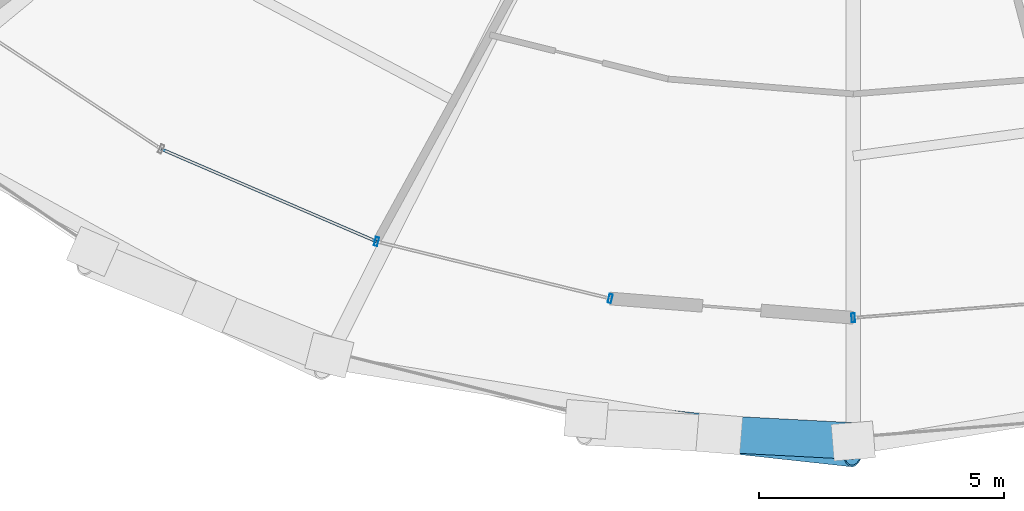
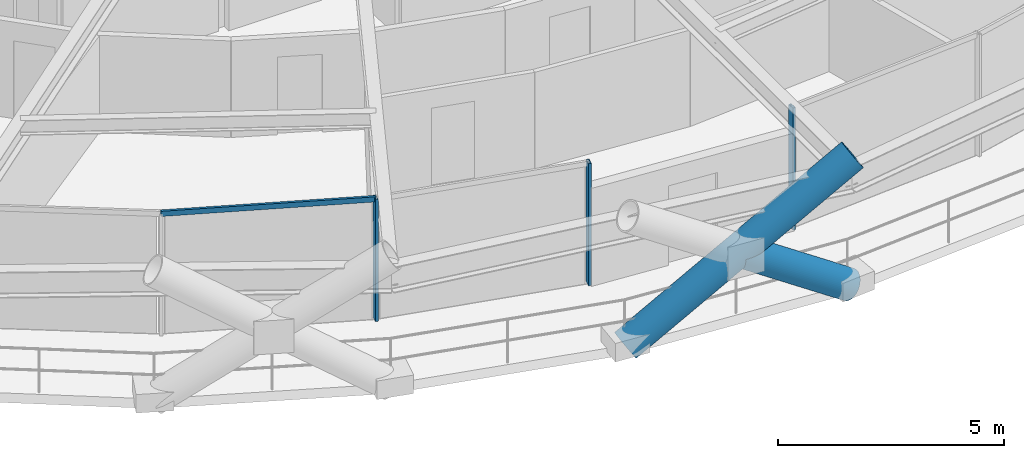
# One storey, part 4 of 18: 6 members, 2 elements without a shape of their own.
"""IFC4 building model written with IfcOpenShell, lengths in metres."""

import ifcopenshell
import ifcopenshell.guid

model = None  # the IFC model being written
_history = None  # IfcOwnerHistory: only IFC2X3 demands one
_inside = {}  # id of a spatial element -> (the spatial element, [elements in it])
_under = {}  # id of a project, library or spatial element -> (it, [spatial elements below it])
_declared = {}  # id of a project -> (the project, [libraries it declares])
_typed = {}  # id of a type object -> (the type object, [elements of that type])
_made_of = {}  # id of a material, layer set ... -> (it, [elements and type objects made of it])


def new_model(schema):
    """Start an empty IFC model of exactly this schema.

    Asked for "IFC4X3", IfcOpenShell would pick the latest addendum, in which some entities
    have other attributes; the version numbers below select the first issue.
    IFC2X3 requires an IfcOwnerHistory on every rooted entity: one is made here for all.
    """
    global model, _history
    if schema == "IFC4X3":
        model = ifcopenshell.file(schema_version=(4, 3, 0, 0))
    else:
        model = ifcopenshell.file(schema=schema)
    _inside.clear()
    _under.clear()
    _declared.clear()
    _typed.clear()
    _made_of.clear()
    _history = None
    if model.schema == "IFC2X3":
        org = make("IfcOrganization", Name="unknown")
        user = make(
            "IfcPersonAndOrganization",
            ThePerson=make("IfcPerson", FamilyName="unknown"),
            TheOrganization=org,
        )
        app = make(
            "IfcApplication",
            ApplicationDeveloper=org,
            Version="unknown",
            ApplicationFullName="unknown",
            ApplicationIdentifier="unknown",
        )
        _history = make(
            "IfcOwnerHistory",
            OwningUser=user,
            OwningApplication=app,
            ChangeAction="ADDED",
            CreationDate=0,
        )
    return model


def make(cls, **values):
    """One entity of the class cls with the attributes given. An attribute that is None is left unset."""
    return model.create_entity(
        cls, **{name: value for name, value in values.items() if value is not None}
    )


def rooted(cls, **values):
    """An entity with a GlobalId (a new one), such as an element, a storey or a relation."""
    return make(cls, GlobalId=ifcopenshell.guid.new(), OwnerHistory=_history, **values)


def si_unit(unit_type, name, prefix=None):
    """IfcSIUnit, for example si_unit("LENGTHUNIT", "METRE", prefix="MILLI")."""
    return make("IfcSIUnit", UnitType=unit_type, Prefix=prefix, Name=name)


def assignment(units):
    """IfcUnitAssignment: the units of a project."""
    return None if units is None else make("IfcUnitAssignment", Units=units)


def point(xyz):
    """IfcCartesianPoint."""
    return None if xyz is None else make("IfcCartesianPoint", Coordinates=xyz)


def direction(xyz):
    """IfcDirection."""
    return None if xyz is None else make("IfcDirection", DirectionRatios=xyz)


def frame(location, z_axis=None, x_axis=None):
    """IfcAxis2Placement3D, a coordinate frame: its origin and axes. An axis left out is left unset."""
    return make(
        "IfcAxis2Placement3D",
        Location=point(location),
        Axis=direction(z_axis),
        RefDirection=direction(x_axis),
    )


def frame_2d(location, x_axis=None):
    """IfcAxis2Placement2D, a coordinate frame in the plane: its origin and x axis."""
    return make(
        "IfcAxis2Placement2D", Location=point(location), RefDirection=direction(x_axis)
    )


def origin():
    """The frame at (0, 0, 0) with its axes left unset."""
    return frame((0.0, 0.0, 0.0))


def origin_2d():
    """The frame at (0, 0) in the plane with its x axis left unset."""
    return frame_2d((0.0, 0.0))


def place(relative_to, where):
    """IfcLocalPlacement: puts the frame where relative to a parent placement (None: the world)."""
    return make(
        "IfcLocalPlacement", PlacementRelTo=relative_to, RelativePlacement=where
    )


def context(
    kind, dimensions, precision=None, world=None, true_north=None, identifier=None
):
    """IfcGeometricRepresentationContext, for example the 3D "Model" context."""
    return make(
        "IfcGeometricRepresentationContext",
        ContextIdentifier=identifier,
        ContextType=kind,
        CoordinateSpaceDimension=dimensions,
        Precision=precision,
        WorldCoordinateSystem=world,
        TrueNorth=true_north,
    )


def subcontext(parent, identifier, kind, view, scale=None):
    """IfcGeometricRepresentationSubContext, for example "Body" below "Model"."""
    return make(
        "IfcGeometricRepresentationSubContext",
        ContextIdentifier=identifier,
        ContextType=kind,
        ParentContext=parent,
        TargetScale=scale,
        TargetView=view,
    )


def project(units=None, contexts=None):
    """IfcProject with its units and contexts."""
    return rooted(
        "IfcProject",
        Name="project",
        RepresentationContexts=contexts,
        UnitsInContext=assignment(units),
    )


def spatial(cls, under=None, at=None, **own):
    """A site, building, storey or space (cls), placed at a placement, below another one or the project."""
    s = rooted(cls, ObjectPlacement=at, **own)
    if under is not None:
        _under.setdefault(under.id(), (under, []))[1].append(s)
    return s


def profile(cls, at=None, kind="AREA", **sizes):
    """A parametric profile (cls). Its sizes go by their IFC names, for example OverallWidth=200.0."""
    return make(cls, ProfileType=kind, Position=at, **sizes)


def hollow_rectangle(**sizes):
    """IfcRectangleHollowProfileDef."""
    return profile("IfcRectangleHollowProfileDef", **sizes)


def hollow_circle(**sizes):
    """IfcCircleHollowProfileDef."""
    return profile("IfcCircleHollowProfileDef", **sizes)


def extrude(swept, where, along, depth):
    """IfcExtrudedAreaSolid: the profile swept, set in the frame where, extruded along a direction by depth."""
    return make(
        "IfcExtrudedAreaSolid",
        SweptArea=swept,
        Position=where,
        ExtrudedDirection=direction(along),
        Depth=depth,
    )


def shape(context_of_items, identifier, shape_type, items):
    """IfcShapeRepresentation: the items that make up one representation, for example the "Body"."""
    return make(
        "IfcShapeRepresentation",
        ContextOfItems=context_of_items,
        RepresentationIdentifier=identifier,
        RepresentationType=shape_type,
        Items=items,
    )


def material(Name=None, Category=None):
    """IfcMaterial."""
    return make("IfcMaterial", Name=Name, Category=Category)


def layer(
    of_material, thickness, ventilated=None, Name=None, Category=None, Priority=None
):
    """IfcMaterialLayer: one layer of a wall or slab, of a material (None: an air gap)."""
    return make(
        "IfcMaterialLayer",
        Material=of_material,
        LayerThickness=thickness,
        IsVentilated=ventilated,
        Name=Name,
        Category=Category,
        Priority=Priority,
    )


def layer_set(layers, Name=None):
    """IfcMaterialLayerSet."""
    return make("IfcMaterialLayerSet", MaterialLayers=layers, LayerSetName=Name)


def material_profile(
    of_material, cross_section, Name=None, Category=None, Priority=None
):
    """IfcMaterialProfile: a cross section and its material."""
    return make(
        "IfcMaterialProfile",
        Name=Name,
        Material=of_material,
        Profile=cross_section,
        Priority=Priority,
        Category=Category,
    )


def profile_set(profiles, Name=None, composite=None):
    """IfcMaterialProfileSet."""
    return make(
        "IfcMaterialProfileSet",
        Name=Name,
        MaterialProfiles=profiles,
        CompositeProfile=composite,
    )


def made_of(thing, what):
    """Note that an element or type object is made of a material, layer set ...; save() writes the relation."""
    if what is not None:
        _made_of.setdefault(what.id(), (what, []))[1].append(thing)
    return thing


def type_object(cls, material=None, **own):
    """A type object (cls), such as IfcWallType, which elements share."""
    return made_of(rooted(cls, **own), material)


def element(
    cls,
    number,
    at=None,
    inside=None,
    cuts=None,
    type_object=None,
    material=None,
    context=None,
    identifier="Body",
    shape_type=None,
    held_by="IfcProductDefinitionShape",
    body=None,
    shapes=None,
    **own,
):
    """One element of the class cls, such as IfcWall. Its Tag is "e" and its number.

    at: its placement. inside: the storey or other place that contains it. cuts: it is an
    opening in that element (IfcRelVoidsElement). A single representation is given by context,
    identifier, shape_type and body (its items); several are given by shapes. held_by: the class
    of the entity that holds the representations. save() writes the other relations.
    """
    e = rooted(cls, Tag="e%d" % number, ObjectPlacement=at, **own)
    if body is not None:
        shapes = [shape(context, identifier, shape_type, body)]
    if shapes is not None:
        e.Representation = make(held_by, Representations=shapes)
    if inside is not None:
        _inside.setdefault(inside.id(), (inside, []))[1].append(e)
    if cuts is not None:
        rooted(
            "IfcRelVoidsElement", RelatingBuildingElement=cuts, RelatedOpeningElement=e
        )
    if type_object is not None:
        _typed.setdefault(type_object.id(), (type_object, []))[1].append(e)
    return made_of(e, material)


def aggregate(whole, parts):
    """IfcRelAggregates: a whole, such as a stair, and the parts it consists of."""
    return rooted("IfcRelAggregates", RelatingObject=whole, RelatedObjects=parts)


def save(model, path):
    """Write the relations noted so far, then the file.

    IfcRelAggregates (storeys below a building ...), IfcRelContainedInSpatialStructure (elements
    in a storey), IfcRelDefinesByType, IfcRelAssociatesMaterial and IfcRelDeclares: one each for
    every whole, place, type object, material and project.
    """
    for whole, parts in _under.values():
        aggregate(whole, parts)
    for where, things in _inside.values():
        rooted(
            "IfcRelContainedInSpatialStructure",
            RelatedElements=things,
            RelatingStructure=where,
        )
    for kind, things in _typed.values():
        rooted("IfcRelDefinesByType", RelatedObjects=things, RelatingType=kind)
    for what, things in _made_of.values():
        rooted("IfcRelAssociatesMaterial", RelatedObjects=things, RelatingMaterial=what)
    for by, libraries in _declared.values():
        rooted("IfcRelDeclares", RelatingContext=by, RelatedDefinitions=libraries)
    model.write(path)


model = new_model("IFC4")

# Units and contexts
model_context = context("Model", 3, precision=1e-05, world=origin(), true_north=direction((0.0, 1.0)))
body_context = subcontext(model_context, "Body", "Model", "MODEL_VIEW")
ifc_project = project(units=[si_unit("LENGTHUNIT", "METRE"), si_unit("AREAUNIT", "SQUARE_METRE"), si_unit("VOLUMEUNIT", "CUBIC_METRE"), si_unit("PLANEANGLEUNIT", "RADIAN"), si_unit("MASSUNIT", "GRAM", prefix="KILO")], contexts=[model_context])

# Site, building, storey
site_placement = place(None, origin())
site = spatial("IfcSite", under=ifc_project, at=site_placement, CompositionType="ELEMENT")
building_placement = place(site_placement, origin())
building = spatial("IfcBuilding", under=site, at=building_placement, Name="Veldorina Hangang Commons", CompositionType="ELEMENT")
storey_placement = place(building_placement, frame((0.0, 0.0, 41.199951171875)))
storey = spatial("IfcBuildingStorey", under=building, at=storey_placement, Name="L09", CompositionType="ELEMENT", Elevation=41.199951171875)

# Curtain wall, members
ifc_material_1 = material(Name="Glass Low-E Triple IGU", Category="glass")
ifc_layer = layer(ifc_material_1, 0.179931640625)
ifc_layer_set = layer_set([ifc_layer], Name="Glass Low-E Triple IGU")
curtain_wall_type = type_object("IfcCurtainWallType", Name="CW-SYS-Z1", PredefinedType="NOTDEFINED", material=ifc_layer_set)
curtain_wall_1_placement = place(storey_placement, origin())
curtain_wall_1 = element("IfcCurtainWall", 1, at=curtain_wall_1_placement, inside=storey, type_object=curtain_wall_type, Name="L09 unitised curtain wall CW-L09-R1", PredefinedType="NOTDEFINED")
ifc_material_2 = material(Name="Aluminium Anodized AA6063-T6", Category="aluminium")
ifc_material_profile_1 = material_profile(ifc_material_2, hollow_rectangle(XDim=0.070068359375, YDim=0.179931640625, WallThickness=0.00390625, at=origin_2d()), Name="ALU-RHS-180x70x4")
ifc_profile_set_1 = profile_set([ifc_material_profile_1], Name="Aluminium Anodized AA6063-T6")
member_type_1 = type_object("IfcMemberType", Name="CW-MUL-180", PredefinedType="MULLION", material=ifc_profile_set_1)
member_1_placement = place(storey_placement, frame((22.2509765625, 5.083251953125, 0.0), z_axis=(0.0, 0.0, 1.0), x_axis=(0.971540852195, -0.236872059383, 0.0)))
member_1 = element("IfcMember", 2, at=member_1_placement, type_object=member_type_1, Name="CW-L09-R1 vertical mullion 4", PredefinedType="MULLION", context=body_context, shape_type="SweptSolid", body=[
    extrude(hollow_rectangle(XDim=0.070068359375, YDim=0.179931640625, WallThickness=0.00390625, at=origin_2d()), origin(), (0.0, 0.0, 1.0), 3.300048828125),
])
member_2_placement = place(storey_placement, frame((27.030029296875, 3.91796875, 0.0), z_axis=(0.0, 0.0, 1.0), x_axis=(-0.971540852195, 0.236872059383, 0.0)))
member_2 = element("IfcMember", 3, at=member_2_placement, type_object=member_type_1, Name="CW-L09-R1 vertical mullion 5", PredefinedType="MULLION", context=body_context, shape_type="SweptSolid", body=[
    extrude(hollow_rectangle(XDim=0.070068359375, YDim=0.179931640625, WallThickness=0.00390625, at=origin_2d()), origin(), (0.0, 0.0, 1.0), 3.300048828125),
])

# Curtain wall, member
curtain_wall_2_placement = place(storey_placement, origin())
curtain_wall_2 = element("IfcCurtainWall", 4, at=curtain_wall_2_placement, inside=storey, type_object=curtain_wall_type, Name="L09 unitised curtain wall CW-L09-R2", PredefinedType="NOTDEFINED")
member_3_placement = place(storey_placement, frame((32.0, 3.524658203125, 0.0), z_axis=(0.0, 0.0, 1.0), x_axis=(0.996881627483, 0.07891147437, 0.0)))
member_3 = element("IfcMember", 5, at=member_3_placement, type_object=member_type_1, Name="CW-L09-R2 vertical mullion 1", PredefinedType="MULLION", context=body_context, shape_type="SweptSolid", body=[
    extrude(hollow_rectangle(XDim=0.070068359375, YDim=0.179931640625, WallThickness=0.00390625, at=origin_2d()), origin(), (0.0, 0.0, 1.0), 3.300048828125),
])
aggregate(curtain_wall_2, [member_3])

# Member
ifc_material_profile_2 = material_profile(ifc_material_2, hollow_rectangle(XDim=0.06005859375, YDim=0.139892578125, WallThickness=0.00341796875, at=origin_2d()), Name="ALU-RHS-140x60x3.5")
ifc_profile_set_2 = profile_set([ifc_material_profile_2], Name="Aluminium Anodized AA6063-T6")
member_type_2 = type_object("IfcMemberType", Name="CW-TRN-140", PredefinedType="USERDEFINED", material=ifc_profile_set_2)
member_4_placement = place(storey_placement, frame((17.8466796875, 6.975341796875, 3.260009765625), z_axis=(0.918802212987, -0.394718245601, 0.0), x_axis=(0.394718245601, 0.918802212987, 0.0)))
member_4 = element("IfcMember", 6, at=member_4_placement, type_object=member_type_2, Name="CW-L09-R1 facet 3 transom 1", ObjectType="TRANSOM", PredefinedType="USERDEFINED", context=body_context, shape_type="SweptSolid", body=[
    extrude(hollow_rectangle(XDim=0.06005859375, YDim=0.139892578125, WallThickness=0.00341796875, at=origin_2d()), origin(), (0.0, 0.0, 1.0), 4.79345703125),
])

aggregate(curtain_wall_1, [member_1, member_2, member_4])

# Members
ifc_material_3 = material(Name="Steel SM460-TMC", Category="steel")
ifc_material_profile_3 = material_profile(ifc_material_3, hollow_circle(Radius=0.375, WallThickness=0.035888671875, at=origin_2d()), Name="CHS-750x36")
ifc_profile_set_3 = profile_set([ifc_material_profile_3], Name="Steel SM460-TMC")
member_type_3 = type_object("IfcMemberType", Name="DG-CHS750", PredefinedType="BRACE", material=ifc_profile_set_3)
member_5_placement = place(storey_placement, frame((26.538330078125, 1.446533203125, 0.0), z_axis=(0.831472556504, -0.090948699019, 0.54807090958), x_axis=(0.108734138382, 0.994070866262, 0.0)))
element("IfcMember", 7, at=member_5_placement, inside=storey, type_object=member_type_3, Name="L09 continuous perimeter diagrid brace 23", PredefinedType="BRACE", context=body_context, shape_type="SweptSolid", body=[
    extrude(hollow_circle(Radius=0.375, WallThickness=0.035888671875, at=origin_2d()), origin(), (0.0, 0.0, 1.0), 6.568603515625),
])
member_6_placement = place(storey_placement, frame((32.0, 1.004638671875, 0.0), z_axis=(-0.835496245465, 0.043949962984, 0.547735725116), x_axis=(-0.052530794379, -0.998619304661, 0.0)))
element("IfcMember", 8, at=member_6_placement, inside=storey, type_object=member_type_3, Name="L09 split perimeter diagrid lower brace 24", PredefinedType="BRACE", context=body_context, shape_type="SweptSolid", body=[
    extrude(hollow_circle(Radius=0.375, WallThickness=0.035888671875, at=origin_2d()), origin(), (0.0, 0.0, 1.0), 3.27734375),
])

save(model, "model.ifc")
